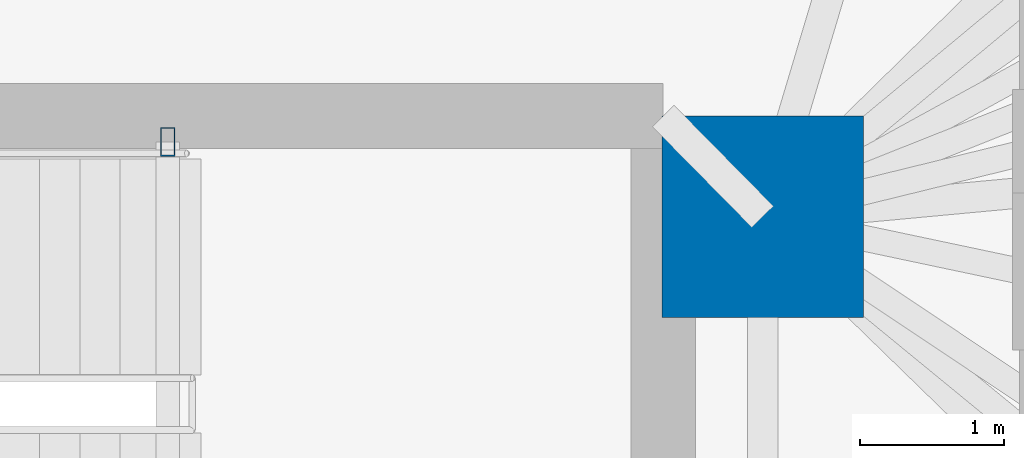
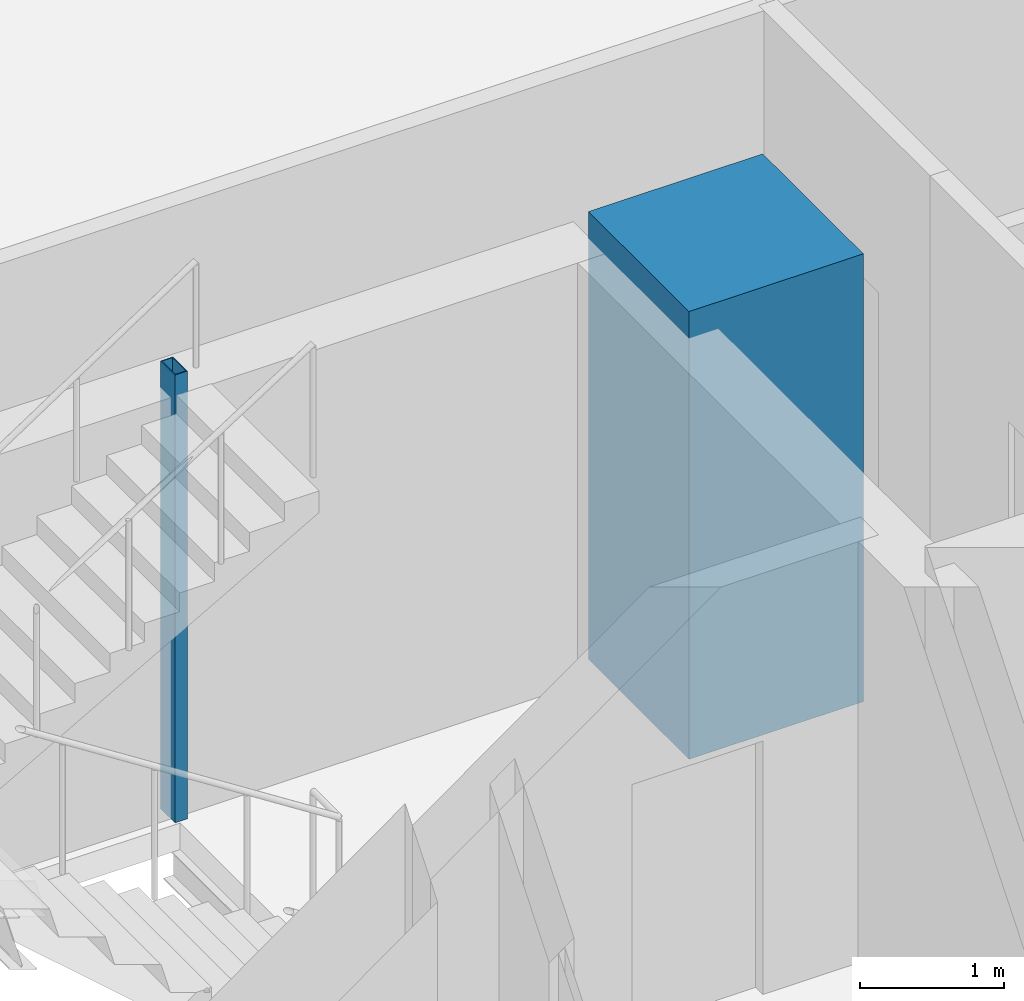
# One storey, part 4 of 17: 2 columns.
"""IFC4 building model written with IfcOpenShell, lengths in metres."""

from ifc_helpers import new_model, si_unit, direction, frame, origin, origin_2d, place, context, subcontext, project, spatial, rectangle, hollow_rectangle, extrude, material, material_profile, profile_set, type_object, element, save


model = new_model("IFC4")

# Units and contexts
model_context = context("Model", 3, precision=1e-05, world=origin(), true_north=direction((0.0, 1.0)))
body_context = subcontext(model_context, "Body", "Model", "MODEL_VIEW")
ifc_project = project(units=[si_unit("LENGTHUNIT", "METRE"), si_unit("AREAUNIT", "SQUARE_METRE"), si_unit("VOLUMEUNIT", "CUBIC_METRE"), si_unit("PLANEANGLEUNIT", "RADIAN"), si_unit("MASSUNIT", "GRAM", prefix="KILO")], contexts=[model_context])

# Site, building, storey
site_placement = place(None, origin())
site = spatial("IfcSite", under=ifc_project, at=site_placement, CompositionType="ELEMENT")
building_placement = place(site_placement, origin())
building = spatial("IfcBuilding", under=site, at=building_placement, Name="Menara Jurai Vektor", CompositionType="ELEMENT")
storey_placement = place(building_placement, frame((0.0, 0.0, 29.39990234375)))
storey = spatial("IfcBuildingStorey", under=building, at=storey_placement, Name="L06", CompositionType="ELEMENT", Elevation=29.39990234375)

# Columns
ifc_material_1 = material(Name="Concrete C60/75", Category="concrete")
ifc_material_profile_1 = material_profile(ifc_material_1, rectangle(XDim=1.39990234375, YDim=1.39990234375, at=origin_2d()), Name="RC 1400x1400")
ifc_profile_set_1 = profile_set([ifc_material_profile_1], Name="Concrete C60/75")
column_type_1 = type_object("IfcColumnType", Name="STR-COL-RC1400", PredefinedType="COLUMN", material=ifc_profile_set_1)
column_1_placement = place(storey_placement, frame((15.25, 4.89990234375, 0.0), z_axis=(0.0, 0.0, 1.0), x_axis=(1.0, 0.0, 0.0)))
element("IfcColumn", 1, at=column_1_placement, inside=storey, type_object=column_type_1, Name="Core Spine Column CE-NE L06", PredefinedType="COLUMN", context=body_context, shape_type="SweptSolid", body=[
    extrude(rectangle(XDim=1.39990234375, YDim=1.39990234375, at=origin_2d()), origin(), (0.0, 0.0, 1.0), 3.800048828125),
])
ifc_material_2 = material(Name="Steel S355", Category="steel")
ifc_material_profile_2 = material_profile(ifc_material_2, hollow_rectangle(XDim=0.10009765625, YDim=0.199951171875, WallThickness=0.008056640625, at=origin_2d()), Name="RHS 200x100x8")
ifc_profile_set_2 = profile_set([ifc_material_profile_2], Name="Steel S355")
column_type_2 = type_object("IfcColumnType", Name="STR-COL-STAIR", PredefinedType="COLUMN", material=ifc_profile_set_2)
column_2_placement = place(storey_placement, frame((11.1201171875, 5.419921875, 0.0), z_axis=(0.0, 0.0, 1.0), x_axis=(1.0, 0.0, 0.0)))
element("IfcColumn", 2, at=column_2_placement, inside=storey, type_object=column_type_2, Name="Stair Well Header Column ST2-P2 L06", PredefinedType="COLUMN", context=body_context, shape_type="SweptSolid", body=[
    extrude(hollow_rectangle(XDim=0.10009765625, YDim=0.199951171875, WallThickness=0.008056640625, at=origin_2d()), origin(), (0.0, 0.0, 1.0), 3.800048828125),
])

save(model, "model.ifc")
